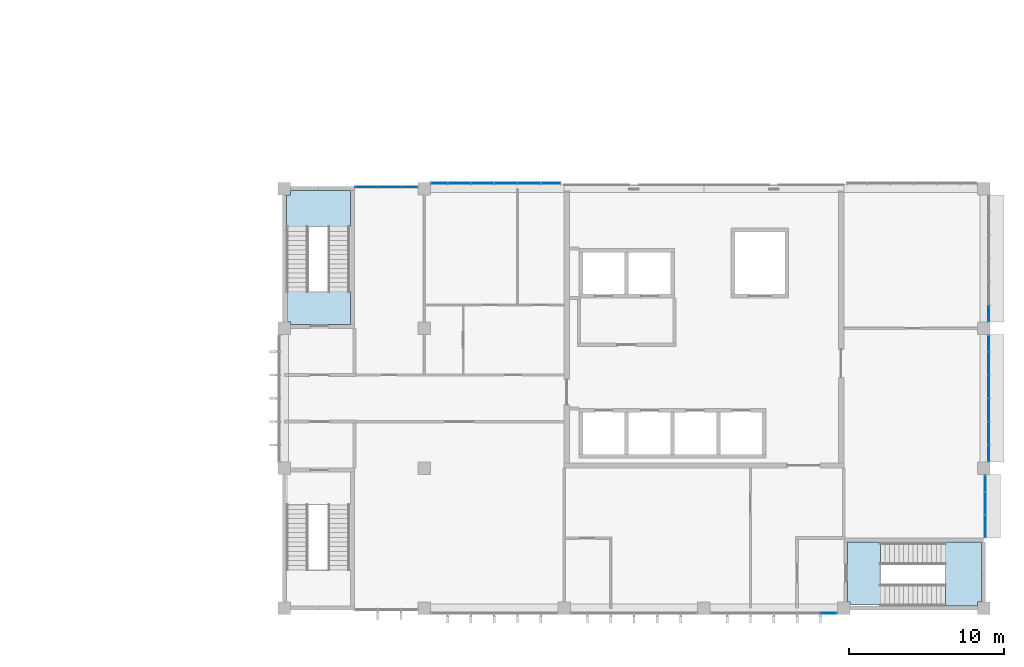
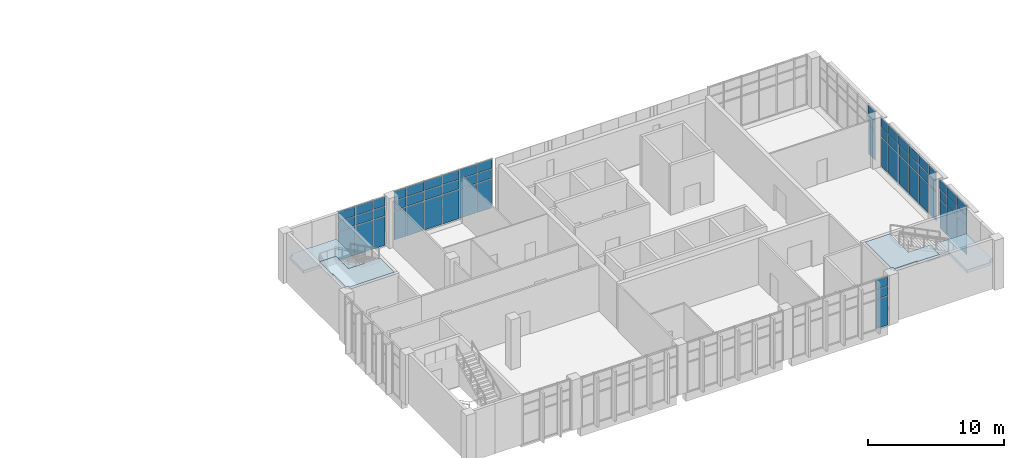
# One storey, part 28 of 43: 60 plates, 4 slabs, 8 elements without a shape of their own.
"""IFC4 building model written with IfcOpenShell, lengths in metres."""

from ifc_helpers import new_model, si_unit, direction, frame, origin, origin_2d, place, context, subcontext, project, spatial, polyline, rectangle, outline, extrude, material, layer, layer_set, type_object, element, aggregate, save


model = new_model("IFC4")

# Units and contexts
model_context = context("Model", 3, precision=1e-05, world=origin(), true_north=direction((0.0, 1.0)))
body_context = subcontext(model_context, "Body", "Model", "MODEL_VIEW")
ifc_project = project(units=[si_unit("LENGTHUNIT", "METRE"), si_unit("AREAUNIT", "SQUARE_METRE"), si_unit("VOLUMEUNIT", "CUBIC_METRE"), si_unit("PLANEANGLEUNIT", "RADIAN"), si_unit("MASSUNIT", "GRAM", prefix="KILO")], contexts=[model_context])

# Site, building, storey
site_placement = place(None, origin())
site = spatial("IfcSite", under=ifc_project, at=site_placement, CompositionType="ELEMENT")
building_placement = place(site_placement, origin())
building = spatial("IfcBuilding", under=site, at=building_placement, Name="Guidao Yard Department Store", CompositionType="ELEMENT")
storey_placement = place(building_placement, frame((0.0, 0.0, 28.5)))
storey = spatial("IfcBuildingStorey", under=building, at=storey_placement, Name="L06", CompositionType="ELEMENT", Elevation=28.5)

# Curtain wall, plate
ifc_material_1 = material(Name="Aluminium and glass", Category="aluminium")
ifc_layer_1 = layer(ifc_material_1, 0.159912109375)
ifc_layer_set_1 = layer_set([ifc_layer_1], Name="Unitised curtain wall CW4 1500 module")
curtain_wall_type = type_object("IfcCurtainWallType", Name="Unitised curtain wall CW4 1500 module", PredefinedType="NOTDEFINED", material=ifc_layer_set_1)
curtain_wall_1_placement = place(storey_placement, origin())
curtain_wall_1 = element("IfcCurtainWall", 1, at=curtain_wall_1_placement, inside=storey, type_object=curtain_wall_type, Name="Unitised curtain wall", PredefinedType="NOTDEFINED")
ifc_material_2 = material(Name="Aluminium 6063-T5 faced insulated spandrel", Category="aluminium")
ifc_layer_2 = layer(ifc_material_2, 0.06005859375)
ifc_layer_set_2 = layer_set([ifc_layer_2], Name="Spandrel panel SP1 insulated opaque")
plate_type_1 = type_object("IfcPlateType", Name="Spandrel panel SP1 insulated opaque", PredefinedType="CURTAIN_PANEL", material=ifc_layer_set_2)
plate_1_placement = place(storey_placement, frame((161.034912109375, -0.330078125, 3.6298828125), z_axis=(0.0, 0.0, 1.0), x_axis=(-1.0, 0.0, 0.0)))
plate_1 = element("IfcPlate", 2, at=plate_1_placement, type_object=plate_type_1, Name="CW-OW-L06-04 panel 6.3", PredefinedType="CURTAIN_PANEL", context=body_context, shape_type="SweptSolid", body=[
    extrude(rectangle(XDim=1.010009765625, YDim=0.06005859375, at=origin_2d()), origin(), (0.0, 0.0, 1.0), 0.81005859375),
])

# Curtain wall, plates
curtain_wall_2_placement = place(storey_placement, origin())
curtain_wall_2 = element("IfcCurtainWall", 3, at=curtain_wall_2_placement, inside=storey, type_object=curtain_wall_type, Name="Unitised curtain wall", PredefinedType="NOTDEFINED")
plate_2_placement = place(storey_placement, frame((131.264892578125, 27.10009765625, 3.6298828125), z_axis=(0.0, 0.0, 1.0), x_axis=(1.0, 0.0, 0.0)))
plate_2 = element("IfcPlate", 4, at=plate_2_placement, type_object=plate_type_1, Name="CW-OW-L06-06 panel 1.3", PredefinedType="CURTAIN_PANEL", context=body_context, shape_type="SweptSolid", body=[
    extrude(rectangle(XDim=1.409912109375, YDim=0.06005859375, at=origin_2d()), origin(), (0.0, 0.0, 1.0), 0.81005859375),
])
plate_3_placement = place(storey_placement, frame((132.75, 27.10009765625, 3.6298828125), z_axis=(0.0, 0.0, 1.0), x_axis=(1.0, 0.0, 0.0)))
plate_3 = element("IfcPlate", 5, at=plate_3_placement, type_object=plate_type_1, Name="CW-OW-L06-06 panel 2.3", PredefinedType="CURTAIN_PANEL", context=body_context, shape_type="SweptSolid", body=[
    extrude(rectangle(XDim=1.43994140625, YDim=0.06005859375, at=origin_2d()), origin(), (0.0, 0.0, 1.0), 0.81005859375),
])
plate_4_placement = place(storey_placement, frame((134.034912109375, 27.10009765625, 3.6298828125), z_axis=(0.0, 0.0, 1.0), x_axis=(1.0, 0.0, 0.0)))
plate_4 = element("IfcPlate", 6, at=plate_4_placement, type_object=plate_type_1, Name="CW-OW-L06-06 panel 3.3", PredefinedType="CURTAIN_PANEL", context=body_context, shape_type="SweptSolid", body=[
    extrude(rectangle(XDim=1.010009765625, YDim=0.06005859375, at=origin_2d()), origin(), (0.0, 0.0, 1.0), 0.81005859375),
])

curtain_wall_3_placement = place(storey_placement, origin())
curtain_wall_3 = element("IfcCurtainWall", 7, at=curtain_wall_3_placement, inside=storey, type_object=curtain_wall_type, Name="Unitised curtain wall", PredefinedType="NOTDEFINED")
plate_5_placement = place(storey_placement, frame((135.965087890625, 27.330078125, 3.6298828125), z_axis=(0.0, 0.0, 1.0), x_axis=(1.0, 0.0, 0.0)))
plate_5 = element("IfcPlate", 8, at=plate_5_placement, type_object=plate_type_1, Name="CW-OW-L06-07 panel 1.3", PredefinedType="CURTAIN_PANEL", context=body_context, shape_type="SweptSolid", body=[
    extrude(rectangle(XDim=1.010009765625, YDim=0.06005859375, at=origin_2d()), origin(), (0.0, 0.0, 1.0), 0.81005859375),
])
plate_6_placement = place(storey_placement, frame((137.25, 27.330078125, 3.6298828125), z_axis=(0.0, 0.0, 1.0), x_axis=(1.0, 0.0, 0.0)))
plate_6 = element("IfcPlate", 9, at=plate_6_placement, type_object=plate_type_1, Name="CW-OW-L06-07 panel 2.3", PredefinedType="CURTAIN_PANEL", context=body_context, shape_type="SweptSolid", body=[
    extrude(rectangle(XDim=1.43994140625, YDim=0.06005859375, at=origin_2d()), origin(), (0.0, 0.0, 1.0), 0.81005859375),
])
plate_7_placement = place(storey_placement, frame((138.75, 27.330078125, 3.6298828125), z_axis=(0.0, 0.0, 1.0), x_axis=(1.0, 0.0, 0.0)))
plate_7 = element("IfcPlate", 10, at=plate_7_placement, type_object=plate_type_1, Name="CW-OW-L06-07 panel 3.3", PredefinedType="CURTAIN_PANEL", context=body_context, shape_type="SweptSolid", body=[
    extrude(rectangle(XDim=1.43994140625, YDim=0.06005859375, at=origin_2d()), origin(), (0.0, 0.0, 1.0), 0.81005859375),
])
plate_8_placement = place(storey_placement, frame((140.25, 27.330078125, 3.6298828125), z_axis=(0.0, 0.0, 1.0), x_axis=(1.0, 0.0, 0.0)))
plate_8 = element("IfcPlate", 11, at=plate_8_placement, type_object=plate_type_1, Name="CW-OW-L06-07 panel 4.3", PredefinedType="CURTAIN_PANEL", context=body_context, shape_type="SweptSolid", body=[
    extrude(rectangle(XDim=1.43994140625, YDim=0.06005859375, at=origin_2d()), origin(), (0.0, 0.0, 1.0), 0.81005859375),
])
plate_9_placement = place(storey_placement, frame((141.75, 27.330078125, 3.6298828125), z_axis=(0.0, 0.0, 1.0), x_axis=(1.0, 0.0, 0.0)))
plate_9 = element("IfcPlate", 12, at=plate_9_placement, type_object=plate_type_1, Name="CW-OW-L06-07 panel 5.3", PredefinedType="CURTAIN_PANEL", context=body_context, shape_type="SweptSolid", body=[
    extrude(rectangle(XDim=1.43994140625, YDim=0.06005859375, at=origin_2d()), origin(), (0.0, 0.0, 1.0), 0.81005859375),
])
plate_10_placement = place(storey_placement, frame((143.1474609375, 27.330078125, 3.6298828125), z_axis=(0.0, 0.0, 1.0), x_axis=(1.0, 0.0, 0.0)))
plate_10 = element("IfcPlate", 13, at=plate_10_placement, type_object=plate_type_1, Name="CW-OW-L06-07 panel 6.3", PredefinedType="CURTAIN_PANEL", context=body_context, shape_type="SweptSolid", body=[
    extrude(rectangle(XDim=1.235107421875, YDim=0.06005859375, at=origin_2d()), origin(), (0.0, 0.0, 1.0), 0.81005859375),
])

curtain_wall_4_placement = place(storey_placement, origin())
curtain_wall_4 = element("IfcCurtainWall", 14, at=curtain_wall_4_placement, inside=storey, type_object=curtain_wall_type, Name="Unitised curtain wall", PredefinedType="NOTDEFINED")
plate_11_placement = place(storey_placement, frame((171.10009765625, 5.264892578125, 3.6298828125), z_axis=(0.0, 0.0, 1.0), x_axis=(0.0, -1.0, 0.0)))
plate_11 = element("IfcPlate", 15, at=plate_11_placement, type_object=plate_type_1, Name="CW-OW-L06-09 panel 1.3", PredefinedType="CURTAIN_PANEL", context=body_context, shape_type="SweptSolid", body=[
    extrude(rectangle(XDim=1.409912109375, YDim=0.06005859375, at=origin_2d()), origin(), (0.0, 0.0, 1.0), 0.81005859375),
])
plate_12_placement = place(storey_placement, frame((171.10009765625, 6.75, 3.6298828125), z_axis=(0.0, 0.0, 1.0), x_axis=(0.0, -1.0, 0.0)))
plate_12 = element("IfcPlate", 16, at=plate_12_placement, type_object=plate_type_1, Name="CW-OW-L06-09 panel 2.3", PredefinedType="CURTAIN_PANEL", context=body_context, shape_type="SweptSolid", body=[
    extrude(rectangle(XDim=1.43994140625, YDim=0.06005859375, at=origin_2d()), origin(), (0.0, 0.0, 1.0), 0.81005859375),
])
plate_13_placement = place(storey_placement, frame((171.10009765625, 8.034912109375, 3.6298828125), z_axis=(0.0, 0.0, 1.0), x_axis=(0.0, -1.0, 0.0)))
plate_13 = element("IfcPlate", 17, at=plate_13_placement, type_object=plate_type_1, Name="CW-OW-L06-09 panel 3.3", PredefinedType="CURTAIN_PANEL", context=body_context, shape_type="SweptSolid", body=[
    extrude(rectangle(XDim=1.010009765625, YDim=0.06005859375, at=origin_2d()), origin(), (0.0, 0.0, 1.0), 0.81005859375),
])

curtain_wall_5_placement = place(storey_placement, origin())
curtain_wall_5 = element("IfcCurtainWall", 18, at=curtain_wall_5_placement, inside=storey, type_object=curtain_wall_type, Name="Unitised curtain wall", PredefinedType="NOTDEFINED")
plate_14_placement = place(storey_placement, frame((171.330078125, 9.965087890625, 3.6298828125), z_axis=(0.0, 0.0, 1.0), x_axis=(0.0, -1.0, 0.0)))
plate_14 = element("IfcPlate", 19, at=plate_14_placement, type_object=plate_type_1, Name="CW-OW-L06-10 panel 1.3", PredefinedType="CURTAIN_PANEL", context=body_context, shape_type="SweptSolid", body=[
    extrude(rectangle(XDim=1.010009765625, YDim=0.06005859375, at=origin_2d()), origin(), (0.0, 0.0, 1.0), 0.81005859375),
])
plate_15_placement = place(storey_placement, frame((171.330078125, 11.25, 3.6298828125), z_axis=(0.0, 0.0, 1.0), x_axis=(0.0, -1.0, 0.0)))
plate_15 = element("IfcPlate", 20, at=plate_15_placement, type_object=plate_type_1, Name="CW-OW-L06-10 panel 2.3", PredefinedType="CURTAIN_PANEL", context=body_context, shape_type="SweptSolid", body=[
    extrude(rectangle(XDim=1.43994140625, YDim=0.06005859375, at=origin_2d()), origin(), (0.0, 0.0, 1.0), 0.81005859375),
])
plate_16_placement = place(storey_placement, frame((171.330078125, 12.75, 3.6298828125), z_axis=(0.0, 0.0, 1.0), x_axis=(0.0, -1.0, 0.0)))
plate_16 = element("IfcPlate", 21, at=plate_16_placement, type_object=plate_type_1, Name="CW-OW-L06-10 panel 3.3", PredefinedType="CURTAIN_PANEL", context=body_context, shape_type="SweptSolid", body=[
    extrude(rectangle(XDim=1.43994140625, YDim=0.06005859375, at=origin_2d()), origin(), (0.0, 0.0, 1.0), 0.81005859375),
])
plate_17_placement = place(storey_placement, frame((171.330078125, 14.25, 3.6298828125), z_axis=(0.0, 0.0, 1.0), x_axis=(0.0, -1.0, 0.0)))
plate_17 = element("IfcPlate", 22, at=plate_17_placement, type_object=plate_type_1, Name="CW-OW-L06-10 panel 4.3", PredefinedType="CURTAIN_PANEL", context=body_context, shape_type="SweptSolid", body=[
    extrude(rectangle(XDim=1.43994140625, YDim=0.06005859375, at=origin_2d()), origin(), (0.0, 0.0, 1.0), 0.81005859375),
])
plate_18_placement = place(storey_placement, frame((171.330078125, 15.75, 3.6298828125), z_axis=(0.0, 0.0, 1.0), x_axis=(0.0, -1.0, 0.0)))
plate_18 = element("IfcPlate", 23, at=plate_18_placement, type_object=plate_type_1, Name="CW-OW-L06-10 panel 5.3", PredefinedType="CURTAIN_PANEL", context=body_context, shape_type="SweptSolid", body=[
    extrude(rectangle(XDim=1.43994140625, YDim=0.06005859375, at=origin_2d()), origin(), (0.0, 0.0, 1.0), 0.81005859375),
])
plate_19_placement = place(storey_placement, frame((171.330078125, 17.034912109375, 3.6298828125), z_axis=(0.0, 0.0, 1.0), x_axis=(0.0, -1.0, 0.0)))
plate_19 = element("IfcPlate", 24, at=plate_19_placement, type_object=plate_type_1, Name="CW-OW-L06-10 panel 6.3", PredefinedType="CURTAIN_PANEL", context=body_context, shape_type="SweptSolid", body=[
    extrude(rectangle(XDim=1.010009765625, YDim=0.06005859375, at=origin_2d()), origin(), (0.0, 0.0, 1.0), 0.81005859375),
])

# Curtain wall, plate
curtain_wall_6_placement = place(storey_placement, origin())
curtain_wall_6 = element("IfcCurtainWall", 25, at=curtain_wall_6_placement, inside=storey, type_object=curtain_wall_type, Name="Unitised curtain wall", PredefinedType="NOTDEFINED")
plate_20_placement = place(storey_placement, frame((171.330078125, 18.965087890625, 3.6298828125), z_axis=(0.0, 0.0, 1.0), x_axis=(0.0, -1.0, 0.0)))
plate_20 = element("IfcPlate", 26, at=plate_20_placement, type_object=plate_type_1, Name="CW-OW-L06-11 panel 1.3", PredefinedType="CURTAIN_PANEL", context=body_context, shape_type="SweptSolid", body=[
    extrude(rectangle(XDim=1.010009765625, YDim=0.06005859375, at=origin_2d()), origin(), (0.0, 0.0, 1.0), 0.81005859375),
])

# Stair, slabs
ifc_material_3 = material(Name="Concrete C35", Category="concrete")
stair_type = type_object("IfcStairType", Name="Stair half-turn two-flight 1400 wide 4.5 m rise", PredefinedType="HALF_TURN_STAIR", material=ifc_material_3)
stair_1_placement = place(storey_placement, origin())
stair_1 = element("IfcStair", 27, at=stair_1_placement, inside=storey, type_object=stair_type, Name="Stair O2 L06 to L07", PredefinedType="HALF_TURN_STAIR")
ifc_material_4 = material(Name="Concrete C35", Category="concrete")
ifc_layer_3 = layer(ifc_material_4, 0.25)
ifc_layer_set_3 = layer_set([ifc_layer_3], Name="Stair landing RC 250 C35")
slab_type = type_object("IfcSlabType", Name="Stair landing RC 250 C35", PredefinedType="LANDING", material=ifc_layer_set_3)
slab_1_placement = place(storey_placement, frame((0.0, 0.0, 2.0)))
slab_1 = element("IfcSlab", 28, at=slab_1_placement, type_object=slab_type, Name="SO2-L06 landing 1", PredefinedType="LANDING", context=body_context, shape_type="SweptSolid", body=[
    extrude(outline(polyline([(168.550048828125, 1.52490234375), (168.550048828125, 2.800048828125), (166.719970703125, 2.800048828125), (166.719970703125, 4.199951171875), (168.550048828125, 4.199951171875), (168.550048828125, 4.25), (170.875, 4.25), (170.875, 0.39990234375), (170.60009765625, 0.39990234375), (170.60009765625, 0.125), (168.550048828125, 0.125), (168.5400390625, 0.125), (168.5400390625, 1.52490234375), (168.550048828125, 1.52490234375)])), origin(), (0.0, 0.0, 1.0), 0.25),
])
slab_2_placement = place(storey_placement, frame((0.0, 0.0, 4.25)))
slab_2 = element("IfcSlab", 29, at=slab_2_placement, type_object=slab_type, Name="SO2-L06 landing 2", PredefinedType="LANDING", context=body_context, shape_type="SweptSolid", body=[
    extrude(outline(polyline([(164.35009765625, 0.125), (164.35009765625, 0.199951171875), (162.39990234375, 0.199951171875), (162.39990234375, 0.39990234375), (162.25, 0.39990234375), (162.25, 2.800048828125), (162.25, 4.25), (164.360107421875, 4.25), (164.360107421875, 2.800048828125), (164.35009765625, 2.800048828125), (164.35009765625, 1.52490234375), (166.179931640625, 1.52490234375), (166.179931640625, 0.125), (164.35009765625, 0.125)])), origin(), (0.0, 0.0, 1.0), 0.25),
])
aggregate(stair_1, [slab_1, slab_2])

stair_2_placement = place(storey_placement, origin())
stair_2 = element("IfcStair", 30, at=stair_2_placement, inside=storey, type_object=stair_type, Name="Stair O3 L06 to L07", PredefinedType="HALF_TURN_STAIR")
slab_3_placement = place(storey_placement, frame((0.0, 0.0, 2.0)))
slab_3 = element("IfcSlab", 31, at=slab_3_placement, type_object=slab_type, Name="SO3-L06 landing 1", PredefinedType="LANDING", context=body_context, shape_type="SweptSolid", body=[
    extrude(outline(polyline([(128.800048828125, 24.550048828125), (127.52490234375, 24.550048828125), (127.52490234375, 24.5400390625), (126.125, 24.5400390625), (126.125, 24.550048828125), (126.125, 26.60009765625), (126.39990234375, 26.60009765625), (126.39990234375, 26.875), (130.25, 26.875), (130.25, 24.550048828125), (130.199951171875, 24.550048828125), (130.199951171875, 22.719970703125), (128.800048828125, 22.719970703125), (128.800048828125, 24.550048828125)])), origin(), (0.0, 0.0, 1.0), 0.25),
])
slab_4_placement = place(storey_placement, frame((0.0, 0.0, 4.25)))
slab_4 = element("IfcSlab", 32, at=slab_4_placement, type_object=slab_type, Name="SO3-L06 landing 2", PredefinedType="LANDING", context=body_context, shape_type="SweptSolid", body=[
    extrude(outline(polyline([(130.25, 20.360107421875), (130.25, 18.25), (128.800048828125, 18.25), (126.39990234375, 18.25), (126.39990234375, 18.39990234375), (126.199951171875, 18.39990234375), (126.199951171875, 20.35009765625), (126.125, 20.35009765625), (126.125, 22.179931640625), (127.52490234375, 22.179931640625), (127.52490234375, 20.35009765625), (128.800048828125, 20.35009765625), (128.800048828125, 20.360107421875), (130.25, 20.360107421875)])), origin(), (0.0, 0.0, 1.0), 0.25),
])
aggregate(stair_2, [slab_3, slab_4])

# Plate
ifc_material_5 = material(Name="Laminated heat-soaked tempered glass", Category="glass")
ifc_layer_4 = layer(ifc_material_5, 0.017578125)
ifc_layer_set_4 = layer_set([ifc_layer_4], Name="Vision glass VG1 laminated heat-soaked tempered 8+8")
plate_type_2 = type_object("IfcPlateType", Name="Vision glass VG1 laminated heat-soaked tempered 8+8", PredefinedType="CURTAIN_PANEL", material=ifc_layer_set_4)
plate_21_placement = place(storey_placement, frame((161.034912109375, -0.330078125, 0.06005859375), z_axis=(0.0, 0.0, 1.0), x_axis=(-1.0, 0.0, 0.0)))
plate_21 = element("IfcPlate", 33, at=plate_21_placement, type_object=plate_type_2, Name="CW-OW-L06-04 panel 6.1", PredefinedType="CURTAIN_PANEL", context=body_context, shape_type="SweptSolid", body=[
    extrude(rectangle(XDim=1.010009765625, YDim=0.017578125, at=origin_2d()), origin(), (0.0, 0.0, 1.0), 2.610107421875),
])

plate_22_placement = place(storey_placement, frame((161.034912109375, -0.330078125, 2.72998046875), z_axis=(0.0, 0.0, 1.0), x_axis=(-1.0, 0.0, 0.0)))
plate_22 = element("IfcPlate", 34, at=plate_22_placement, type_object=plate_type_2, Name="CW-OW-L06-04 panel 6.2", PredefinedType="CURTAIN_PANEL", context=body_context, shape_type="SweptSolid", body=[
    extrude(rectangle(XDim=1.010009765625, YDim=0.017578125, at=origin_2d()), origin(), (0.0, 0.0, 1.0), 0.840087890625),
])

aggregate(curtain_wall_1, [plate_21, plate_22, plate_1])

plate_23_placement = place(storey_placement, frame((131.264892578125, 27.10009765625, 0.06005859375), z_axis=(0.0, 0.0, 1.0), x_axis=(1.0, 0.0, 0.0)))
plate_23 = element("IfcPlate", 35, at=plate_23_placement, type_object=plate_type_2, Name="CW-OW-L06-06 panel 1.1", PredefinedType="CURTAIN_PANEL", context=body_context, shape_type="SweptSolid", body=[
    extrude(rectangle(XDim=1.409912109375, YDim=0.017578125, at=origin_2d()), origin(), (0.0, 0.0, 1.0), 2.610107421875),
])

plate_24_placement = place(storey_placement, frame((131.264892578125, 27.10009765625, 2.72998046875), z_axis=(0.0, 0.0, 1.0), x_axis=(1.0, 0.0, 0.0)))
plate_24 = element("IfcPlate", 36, at=plate_24_placement, type_object=plate_type_2, Name="CW-OW-L06-06 panel 1.2", PredefinedType="CURTAIN_PANEL", context=body_context, shape_type="SweptSolid", body=[
    extrude(rectangle(XDim=1.409912109375, YDim=0.017578125, at=origin_2d()), origin(), (0.0, 0.0, 1.0), 0.840087890625),
])

plate_25_placement = place(storey_placement, frame((132.75, 27.10009765625, 0.06005859375), z_axis=(0.0, 0.0, 1.0), x_axis=(1.0, 0.0, 0.0)))
plate_25 = element("IfcPlate", 37, at=plate_25_placement, type_object=plate_type_2, Name="CW-OW-L06-06 panel 2.1", PredefinedType="CURTAIN_PANEL", context=body_context, shape_type="SweptSolid", body=[
    extrude(rectangle(XDim=1.43994140625, YDim=0.017578125, at=origin_2d()), origin(), (0.0, 0.0, 1.0), 2.610107421875),
])

plate_26_placement = place(storey_placement, frame((132.75, 27.10009765625, 2.72998046875), z_axis=(0.0, 0.0, 1.0), x_axis=(1.0, 0.0, 0.0)))
plate_26 = element("IfcPlate", 38, at=plate_26_placement, type_object=plate_type_2, Name="CW-OW-L06-06 panel 2.2", PredefinedType="CURTAIN_PANEL", context=body_context, shape_type="SweptSolid", body=[
    extrude(rectangle(XDim=1.43994140625, YDim=0.017578125, at=origin_2d()), origin(), (0.0, 0.0, 1.0), 0.840087890625),
])

plate_27_placement = place(storey_placement, frame((134.034912109375, 27.10009765625, 0.06005859375), z_axis=(0.0, 0.0, 1.0), x_axis=(1.0, 0.0, 0.0)))
plate_27 = element("IfcPlate", 39, at=plate_27_placement, type_object=plate_type_2, Name="CW-OW-L06-06 panel 3.1", PredefinedType="CURTAIN_PANEL", context=body_context, shape_type="SweptSolid", body=[
    extrude(rectangle(XDim=1.010009765625, YDim=0.017578125, at=origin_2d()), origin(), (0.0, 0.0, 1.0), 2.610107421875),
])

plate_28_placement = place(storey_placement, frame((134.034912109375, 27.10009765625, 2.72998046875), z_axis=(0.0, 0.0, 1.0), x_axis=(1.0, 0.0, 0.0)))
plate_28 = element("IfcPlate", 40, at=plate_28_placement, type_object=plate_type_2, Name="CW-OW-L06-06 panel 3.2", PredefinedType="CURTAIN_PANEL", context=body_context, shape_type="SweptSolid", body=[
    extrude(rectangle(XDim=1.010009765625, YDim=0.017578125, at=origin_2d()), origin(), (0.0, 0.0, 1.0), 0.840087890625),
])

aggregate(curtain_wall_2, [plate_23, plate_24, plate_2, plate_25, plate_26, plate_3, plate_27, plate_28, plate_4])

plate_29_placement = place(storey_placement, frame((135.965087890625, 27.330078125, 0.06005859375), z_axis=(0.0, 0.0, 1.0), x_axis=(1.0, 0.0, 0.0)))
plate_29 = element("IfcPlate", 41, at=plate_29_placement, type_object=plate_type_2, Name="CW-OW-L06-07 panel 1.1", PredefinedType="CURTAIN_PANEL", context=body_context, shape_type="SweptSolid", body=[
    extrude(rectangle(XDim=1.010009765625, YDim=0.017578125, at=origin_2d()), origin(), (0.0, 0.0, 1.0), 2.610107421875),
])

plate_30_placement = place(storey_placement, frame((135.965087890625, 27.330078125, 2.72998046875), z_axis=(0.0, 0.0, 1.0), x_axis=(1.0, 0.0, 0.0)))
plate_30 = element("IfcPlate", 42, at=plate_30_placement, type_object=plate_type_2, Name="CW-OW-L06-07 panel 1.2", PredefinedType="CURTAIN_PANEL", context=body_context, shape_type="SweptSolid", body=[
    extrude(rectangle(XDim=1.010009765625, YDim=0.017578125, at=origin_2d()), origin(), (0.0, 0.0, 1.0), 0.840087890625),
])

plate_31_placement = place(storey_placement, frame((137.25, 27.330078125, 0.06005859375), z_axis=(0.0, 0.0, 1.0), x_axis=(1.0, 0.0, 0.0)))
plate_31 = element("IfcPlate", 43, at=plate_31_placement, type_object=plate_type_2, Name="CW-OW-L06-07 panel 2.1", PredefinedType="CURTAIN_PANEL", context=body_context, shape_type="SweptSolid", body=[
    extrude(rectangle(XDim=1.43994140625, YDim=0.017578125, at=origin_2d()), origin(), (0.0, 0.0, 1.0), 2.610107421875),
])

plate_32_placement = place(storey_placement, frame((137.25, 27.330078125, 2.72998046875), z_axis=(0.0, 0.0, 1.0), x_axis=(1.0, 0.0, 0.0)))
plate_32 = element("IfcPlate", 44, at=plate_32_placement, type_object=plate_type_2, Name="CW-OW-L06-07 panel 2.2", PredefinedType="CURTAIN_PANEL", context=body_context, shape_type="SweptSolid", body=[
    extrude(rectangle(XDim=1.43994140625, YDim=0.017578125, at=origin_2d()), origin(), (0.0, 0.0, 1.0), 0.840087890625),
])

plate_33_placement = place(storey_placement, frame((138.75, 27.330078125, 0.06005859375), z_axis=(0.0, 0.0, 1.0), x_axis=(1.0, 0.0, 0.0)))
plate_33 = element("IfcPlate", 45, at=plate_33_placement, type_object=plate_type_2, Name="CW-OW-L06-07 panel 3.1", PredefinedType="CURTAIN_PANEL", context=body_context, shape_type="SweptSolid", body=[
    extrude(rectangle(XDim=1.43994140625, YDim=0.017578125, at=origin_2d()), origin(), (0.0, 0.0, 1.0), 2.610107421875),
])

plate_34_placement = place(storey_placement, frame((138.75, 27.330078125, 2.72998046875), z_axis=(0.0, 0.0, 1.0), x_axis=(1.0, 0.0, 0.0)))
plate_34 = element("IfcPlate", 46, at=plate_34_placement, type_object=plate_type_2, Name="CW-OW-L06-07 panel 3.2", PredefinedType="CURTAIN_PANEL", context=body_context, shape_type="SweptSolid", body=[
    extrude(rectangle(XDim=1.43994140625, YDim=0.017578125, at=origin_2d()), origin(), (0.0, 0.0, 1.0), 0.840087890625),
])

plate_35_placement = place(storey_placement, frame((140.25, 27.330078125, 0.06005859375), z_axis=(0.0, 0.0, 1.0), x_axis=(1.0, 0.0, 0.0)))
plate_35 = element("IfcPlate", 47, at=plate_35_placement, type_object=plate_type_2, Name="CW-OW-L06-07 panel 4.1", PredefinedType="CURTAIN_PANEL", context=body_context, shape_type="SweptSolid", body=[
    extrude(rectangle(XDim=1.43994140625, YDim=0.017578125, at=origin_2d()), origin(), (0.0, 0.0, 1.0), 2.610107421875),
])

plate_36_placement = place(storey_placement, frame((140.25, 27.330078125, 2.72998046875), z_axis=(0.0, 0.0, 1.0), x_axis=(1.0, 0.0, 0.0)))
plate_36 = element("IfcPlate", 48, at=plate_36_placement, type_object=plate_type_2, Name="CW-OW-L06-07 panel 4.2", PredefinedType="CURTAIN_PANEL", context=body_context, shape_type="SweptSolid", body=[
    extrude(rectangle(XDim=1.43994140625, YDim=0.017578125, at=origin_2d()), origin(), (0.0, 0.0, 1.0), 0.840087890625),
])

plate_37_placement = place(storey_placement, frame((141.75, 27.330078125, 0.06005859375), z_axis=(0.0, 0.0, 1.0), x_axis=(1.0, 0.0, 0.0)))
plate_37 = element("IfcPlate", 49, at=plate_37_placement, type_object=plate_type_2, Name="CW-OW-L06-07 panel 5.1", PredefinedType="CURTAIN_PANEL", context=body_context, shape_type="SweptSolid", body=[
    extrude(rectangle(XDim=1.43994140625, YDim=0.017578125, at=origin_2d()), origin(), (0.0, 0.0, 1.0), 2.610107421875),
])

plate_38_placement = place(storey_placement, frame((141.75, 27.330078125, 2.72998046875), z_axis=(0.0, 0.0, 1.0), x_axis=(1.0, 0.0, 0.0)))
plate_38 = element("IfcPlate", 50, at=plate_38_placement, type_object=plate_type_2, Name="CW-OW-L06-07 panel 5.2", PredefinedType="CURTAIN_PANEL", context=body_context, shape_type="SweptSolid", body=[
    extrude(rectangle(XDim=1.43994140625, YDim=0.017578125, at=origin_2d()), origin(), (0.0, 0.0, 1.0), 0.840087890625),
])

plate_39_placement = place(storey_placement, frame((143.1474609375, 27.330078125, 0.06005859375), z_axis=(0.0, 0.0, 1.0), x_axis=(1.0, 0.0, 0.0)))
plate_39 = element("IfcPlate", 51, at=plate_39_placement, type_object=plate_type_2, Name="CW-OW-L06-07 panel 6.1", PredefinedType="CURTAIN_PANEL", context=body_context, shape_type="SweptSolid", body=[
    extrude(rectangle(XDim=1.235107421875, YDim=0.017578125, at=origin_2d()), origin(), (0.0, 0.0, 1.0), 2.610107421875),
])

plate_40_placement = place(storey_placement, frame((143.1474609375, 27.330078125, 2.72998046875), z_axis=(0.0, 0.0, 1.0), x_axis=(1.0, 0.0, 0.0)))
plate_40 = element("IfcPlate", 52, at=plate_40_placement, type_object=plate_type_2, Name="CW-OW-L06-07 panel 6.2", PredefinedType="CURTAIN_PANEL", context=body_context, shape_type="SweptSolid", body=[
    extrude(rectangle(XDim=1.235107421875, YDim=0.017578125, at=origin_2d()), origin(), (0.0, 0.0, 1.0), 0.840087890625),
])

aggregate(curtain_wall_3, [plate_29, plate_30, plate_5, plate_31, plate_32, plate_6, plate_33, plate_34, plate_7, plate_35, plate_36, plate_8, plate_37, plate_38, plate_9, plate_39, plate_40, plate_10])

plate_41_placement = place(storey_placement, frame((171.10009765625, 5.264892578125, 0.06005859375), z_axis=(0.0, 0.0, 1.0), x_axis=(0.0, -1.0, 0.0)))
plate_41 = element("IfcPlate", 53, at=plate_41_placement, type_object=plate_type_2, Name="CW-OW-L06-09 panel 1.1", PredefinedType="CURTAIN_PANEL", context=body_context, shape_type="SweptSolid", body=[
    extrude(rectangle(XDim=1.409912109375, YDim=0.017578125, at=origin_2d()), origin(), (0.0, 0.0, 1.0), 2.610107421875),
])

plate_42_placement = place(storey_placement, frame((171.10009765625, 5.264892578125, 2.72998046875), z_axis=(0.0, 0.0, 1.0), x_axis=(0.0, -1.0, 0.0)))
plate_42 = element("IfcPlate", 54, at=plate_42_placement, type_object=plate_type_2, Name="CW-OW-L06-09 panel 1.2", PredefinedType="CURTAIN_PANEL", context=body_context, shape_type="SweptSolid", body=[
    extrude(rectangle(XDim=1.409912109375, YDim=0.017578125, at=origin_2d()), origin(), (0.0, 0.0, 1.0), 0.840087890625),
])

plate_43_placement = place(storey_placement, frame((171.10009765625, 6.75, 0.06005859375), z_axis=(0.0, 0.0, 1.0), x_axis=(0.0, -1.0, 0.0)))
plate_43 = element("IfcPlate", 55, at=plate_43_placement, type_object=plate_type_2, Name="CW-OW-L06-09 panel 2.1", PredefinedType="CURTAIN_PANEL", context=body_context, shape_type="SweptSolid", body=[
    extrude(rectangle(XDim=1.43994140625, YDim=0.017578125, at=origin_2d()), origin(), (0.0, 0.0, 1.0), 2.610107421875),
])

plate_44_placement = place(storey_placement, frame((171.10009765625, 6.75, 2.72998046875), z_axis=(0.0, 0.0, 1.0), x_axis=(0.0, -1.0, 0.0)))
plate_44 = element("IfcPlate", 56, at=plate_44_placement, type_object=plate_type_2, Name="CW-OW-L06-09 panel 2.2", PredefinedType="CURTAIN_PANEL", context=body_context, shape_type="SweptSolid", body=[
    extrude(rectangle(XDim=1.43994140625, YDim=0.017578125, at=origin_2d()), origin(), (0.0, 0.0, 1.0), 0.840087890625),
])

plate_45_placement = place(storey_placement, frame((171.10009765625, 8.034912109375, 0.06005859375), z_axis=(0.0, 0.0, 1.0), x_axis=(0.0, -1.0, 0.0)))
plate_45 = element("IfcPlate", 57, at=plate_45_placement, type_object=plate_type_2, Name="CW-OW-L06-09 panel 3.1", PredefinedType="CURTAIN_PANEL", context=body_context, shape_type="SweptSolid", body=[
    extrude(rectangle(XDim=1.010009765625, YDim=0.017578125, at=origin_2d()), origin(), (0.0, 0.0, 1.0), 2.610107421875),
])

plate_46_placement = place(storey_placement, frame((171.10009765625, 8.034912109375, 2.72998046875), z_axis=(0.0, 0.0, 1.0), x_axis=(0.0, -1.0, 0.0)))
plate_46 = element("IfcPlate", 58, at=plate_46_placement, type_object=plate_type_2, Name="CW-OW-L06-09 panel 3.2", PredefinedType="CURTAIN_PANEL", context=body_context, shape_type="SweptSolid", body=[
    extrude(rectangle(XDim=1.010009765625, YDim=0.017578125, at=origin_2d()), origin(), (0.0, 0.0, 1.0), 0.840087890625),
])

aggregate(curtain_wall_4, [plate_41, plate_42, plate_11, plate_43, plate_44, plate_12, plate_45, plate_46, plate_13])

plate_47_placement = place(storey_placement, frame((171.330078125, 9.965087890625, 0.06005859375), z_axis=(0.0, 0.0, 1.0), x_axis=(0.0, -1.0, 0.0)))
plate_47 = element("IfcPlate", 59, at=plate_47_placement, type_object=plate_type_2, Name="CW-OW-L06-10 panel 1.1", PredefinedType="CURTAIN_PANEL", context=body_context, shape_type="SweptSolid", body=[
    extrude(rectangle(XDim=1.010009765625, YDim=0.017578125, at=origin_2d()), origin(), (0.0, 0.0, 1.0), 2.610107421875),
])

plate_48_placement = place(storey_placement, frame((171.330078125, 9.965087890625, 2.72998046875), z_axis=(0.0, 0.0, 1.0), x_axis=(0.0, -1.0, 0.0)))
plate_48 = element("IfcPlate", 60, at=plate_48_placement, type_object=plate_type_2, Name="CW-OW-L06-10 panel 1.2", PredefinedType="CURTAIN_PANEL", context=body_context, shape_type="SweptSolid", body=[
    extrude(rectangle(XDim=1.010009765625, YDim=0.017578125, at=origin_2d()), origin(), (0.0, 0.0, 1.0), 0.840087890625),
])

plate_49_placement = place(storey_placement, frame((171.330078125, 11.25, 0.06005859375), z_axis=(0.0, 0.0, 1.0), x_axis=(0.0, -1.0, 0.0)))
plate_49 = element("IfcPlate", 61, at=plate_49_placement, type_object=plate_type_2, Name="CW-OW-L06-10 panel 2.1", PredefinedType="CURTAIN_PANEL", context=body_context, shape_type="SweptSolid", body=[
    extrude(rectangle(XDim=1.43994140625, YDim=0.017578125, at=origin_2d()), origin(), (0.0, 0.0, 1.0), 2.610107421875),
])

plate_50_placement = place(storey_placement, frame((171.330078125, 11.25, 2.72998046875), z_axis=(0.0, 0.0, 1.0), x_axis=(0.0, -1.0, 0.0)))
plate_50 = element("IfcPlate", 62, at=plate_50_placement, type_object=plate_type_2, Name="CW-OW-L06-10 panel 2.2", PredefinedType="CURTAIN_PANEL", context=body_context, shape_type="SweptSolid", body=[
    extrude(rectangle(XDim=1.43994140625, YDim=0.017578125, at=origin_2d()), origin(), (0.0, 0.0, 1.0), 0.840087890625),
])

plate_51_placement = place(storey_placement, frame((171.330078125, 12.75, 0.06005859375), z_axis=(0.0, 0.0, 1.0), x_axis=(0.0, -1.0, 0.0)))
plate_51 = element("IfcPlate", 63, at=plate_51_placement, type_object=plate_type_2, Name="CW-OW-L06-10 panel 3.1", PredefinedType="CURTAIN_PANEL", context=body_context, shape_type="SweptSolid", body=[
    extrude(rectangle(XDim=1.43994140625, YDim=0.017578125, at=origin_2d()), origin(), (0.0, 0.0, 1.0), 2.610107421875),
])

plate_52_placement = place(storey_placement, frame((171.330078125, 12.75, 2.72998046875), z_axis=(0.0, 0.0, 1.0), x_axis=(0.0, -1.0, 0.0)))
plate_52 = element("IfcPlate", 64, at=plate_52_placement, type_object=plate_type_2, Name="CW-OW-L06-10 panel 3.2", PredefinedType="CURTAIN_PANEL", context=body_context, shape_type="SweptSolid", body=[
    extrude(rectangle(XDim=1.43994140625, YDim=0.017578125, at=origin_2d()), origin(), (0.0, 0.0, 1.0), 0.840087890625),
])

plate_53_placement = place(storey_placement, frame((171.330078125, 14.25, 0.06005859375), z_axis=(0.0, 0.0, 1.0), x_axis=(0.0, -1.0, 0.0)))
plate_53 = element("IfcPlate", 65, at=plate_53_placement, type_object=plate_type_2, Name="CW-OW-L06-10 panel 4.1", PredefinedType="CURTAIN_PANEL", context=body_context, shape_type="SweptSolid", body=[
    extrude(rectangle(XDim=1.43994140625, YDim=0.017578125, at=origin_2d()), origin(), (0.0, 0.0, 1.0), 2.610107421875),
])

plate_54_placement = place(storey_placement, frame((171.330078125, 14.25, 2.72998046875), z_axis=(0.0, 0.0, 1.0), x_axis=(0.0, -1.0, 0.0)))
plate_54 = element("IfcPlate", 66, at=plate_54_placement, type_object=plate_type_2, Name="CW-OW-L06-10 panel 4.2", PredefinedType="CURTAIN_PANEL", context=body_context, shape_type="SweptSolid", body=[
    extrude(rectangle(XDim=1.43994140625, YDim=0.017578125, at=origin_2d()), origin(), (0.0, 0.0, 1.0), 0.840087890625),
])

plate_55_placement = place(storey_placement, frame((171.330078125, 15.75, 0.06005859375), z_axis=(0.0, 0.0, 1.0), x_axis=(0.0, -1.0, 0.0)))
plate_55 = element("IfcPlate", 67, at=plate_55_placement, type_object=plate_type_2, Name="CW-OW-L06-10 panel 5.1", PredefinedType="CURTAIN_PANEL", context=body_context, shape_type="SweptSolid", body=[
    extrude(rectangle(XDim=1.43994140625, YDim=0.017578125, at=origin_2d()), origin(), (0.0, 0.0, 1.0), 2.610107421875),
])

plate_56_placement = place(storey_placement, frame((171.330078125, 15.75, 2.72998046875), z_axis=(0.0, 0.0, 1.0), x_axis=(0.0, -1.0, 0.0)))
plate_56 = element("IfcPlate", 68, at=plate_56_placement, type_object=plate_type_2, Name="CW-OW-L06-10 panel 5.2", PredefinedType="CURTAIN_PANEL", context=body_context, shape_type="SweptSolid", body=[
    extrude(rectangle(XDim=1.43994140625, YDim=0.017578125, at=origin_2d()), origin(), (0.0, 0.0, 1.0), 0.840087890625),
])

plate_57_placement = place(storey_placement, frame((171.330078125, 17.034912109375, 0.06005859375), z_axis=(0.0, 0.0, 1.0), x_axis=(0.0, -1.0, 0.0)))
plate_57 = element("IfcPlate", 69, at=plate_57_placement, type_object=plate_type_2, Name="CW-OW-L06-10 panel 6.1", PredefinedType="CURTAIN_PANEL", context=body_context, shape_type="SweptSolid", body=[
    extrude(rectangle(XDim=1.010009765625, YDim=0.017578125, at=origin_2d()), origin(), (0.0, 0.0, 1.0), 2.610107421875),
])

plate_58_placement = place(storey_placement, frame((171.330078125, 17.034912109375, 2.72998046875), z_axis=(0.0, 0.0, 1.0), x_axis=(0.0, -1.0, 0.0)))
plate_58 = element("IfcPlate", 70, at=plate_58_placement, type_object=plate_type_2, Name="CW-OW-L06-10 panel 6.2", PredefinedType="CURTAIN_PANEL", context=body_context, shape_type="SweptSolid", body=[
    extrude(rectangle(XDim=1.010009765625, YDim=0.017578125, at=origin_2d()), origin(), (0.0, 0.0, 1.0), 0.840087890625),
])

aggregate(curtain_wall_5, [plate_47, plate_48, plate_14, plate_49, plate_50, plate_15, plate_51, plate_52, plate_16, plate_53, plate_54, plate_17, plate_55, plate_56, plate_18, plate_57, plate_58, plate_19])

plate_59_placement = place(storey_placement, frame((171.330078125, 18.965087890625, 0.06005859375), z_axis=(0.0, 0.0, 1.0), x_axis=(0.0, -1.0, 0.0)))
plate_59 = element("IfcPlate", 71, at=plate_59_placement, type_object=plate_type_2, Name="CW-OW-L06-11 panel 1.1", PredefinedType="CURTAIN_PANEL", context=body_context, shape_type="SweptSolid", body=[
    extrude(rectangle(XDim=1.010009765625, YDim=0.017578125, at=origin_2d()), origin(), (0.0, 0.0, 1.0), 2.610107421875),
])

plate_60_placement = place(storey_placement, frame((171.330078125, 18.965087890625, 2.72998046875), z_axis=(0.0, 0.0, 1.0), x_axis=(0.0, -1.0, 0.0)))
plate_60 = element("IfcPlate", 72, at=plate_60_placement, type_object=plate_type_2, Name="CW-OW-L06-11 panel 1.2", PredefinedType="CURTAIN_PANEL", context=body_context, shape_type="SweptSolid", body=[
    extrude(rectangle(XDim=1.010009765625, YDim=0.017578125, at=origin_2d()), origin(), (0.0, 0.0, 1.0), 0.840087890625),
])

aggregate(curtain_wall_6, [plate_59, plate_60, plate_20])

save(model, "model.ifc")
